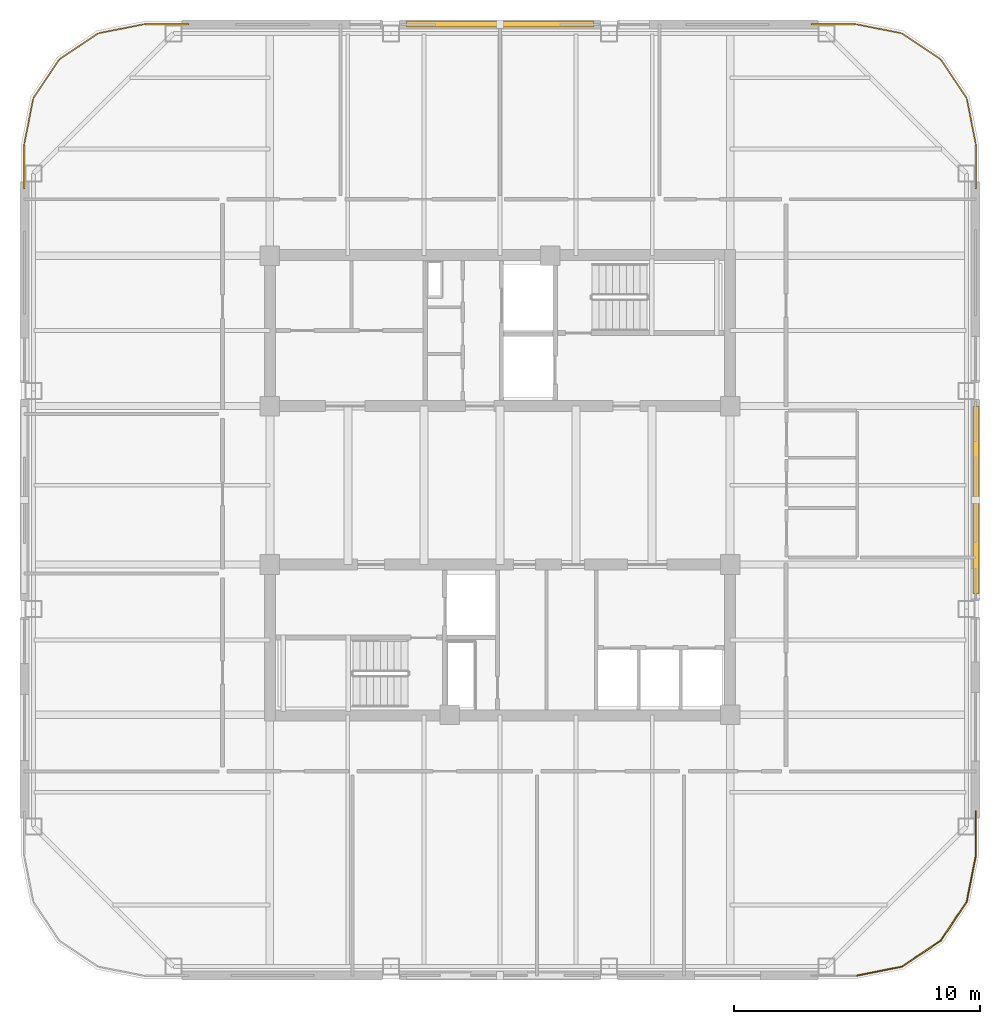
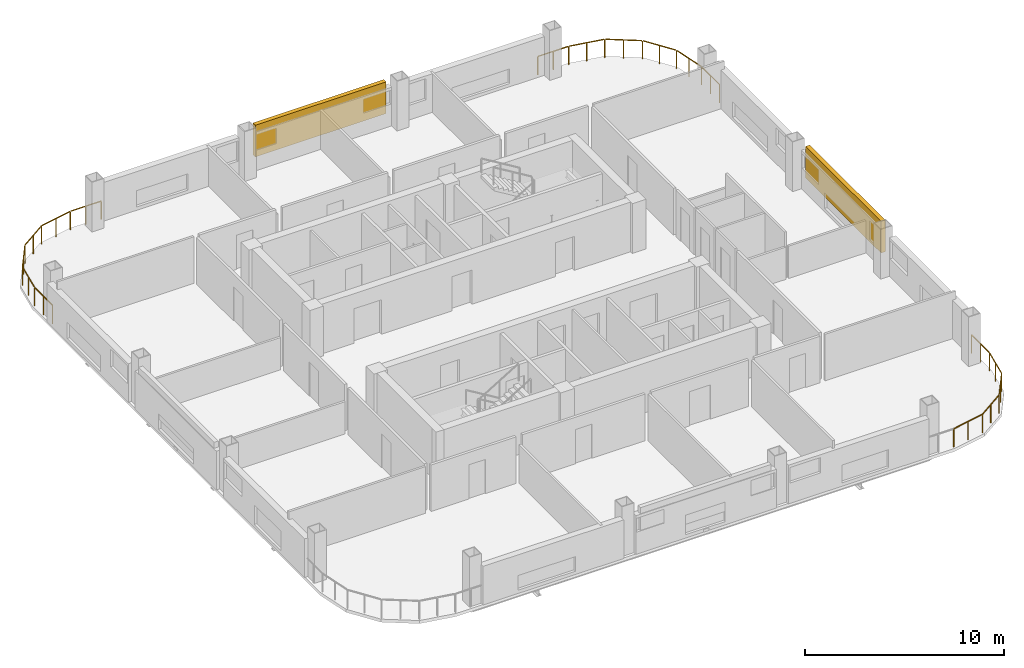
# One storey, part 8 of 8: 3 railings, 2 shading devices.
"""IFC4 building model written with IfcOpenShell, lengths in metres."""

from ifc_helpers import new_model, si_unit, direction, frame, origin, origin_2d, place, context, subcontext, project, spatial, rectangle, extrude, material, type_object, element, save


model = new_model("IFC4")

# Units and contexts
model_context = context("Model", 3, precision=1e-05, world=origin(), true_north=direction((0.0, 1.0)))
body_context = subcontext(model_context, "Body", "Model", "MODEL_VIEW")
ifc_project = project(units=[si_unit("LENGTHUNIT", "METRE"), si_unit("AREAUNIT", "SQUARE_METRE"), si_unit("VOLUMEUNIT", "CUBIC_METRE"), si_unit("PLANEANGLEUNIT", "RADIAN"), si_unit("MASSUNIT", "GRAM", prefix="KILO")], contexts=[model_context])

# Site, building, storey
site_placement = place(None, origin())
site = spatial("IfcSite", under=ifc_project, at=site_placement, CompositionType="ELEMENT")
building_placement = place(site_placement, origin())
building = spatial("IfcBuilding", under=site, at=building_placement, Name="Qhalaya Broadcast Tower", CompositionType="ELEMENT")
storey_placement = place(building_placement, frame((0.0, 0.0, 220.85009765625)))
storey = spatial("IfcBuildingStorey", under=building, at=storey_placement, Name="L65", CompositionType="ELEMENT", Elevation=220.85009765625)

# Railings
ifc_material_1 = material(Name="Powder-Coated Galvanised Steel", Category="steel")
railing_type = type_object("IfcRailingType", Name="Terrace, Sky-Pool & Lookout Glass Balustrade 1150", PredefinedType="BALUSTRADE", material=ifc_material_1)
railing_1_placement = place(storey_placement, frame((-19.3798828125, 12.681884765625, 0.0)))
element("IfcRailing", 1, at=railing_1_placement, inside=storey, type_object=railing_type, Name="L65 Rounded Corner Perimeter Guard 03", PredefinedType="BALUSTRADE", context=body_context, shape_type="SweptSolid", body=[
    extrude(rectangle(XDim=0.048095703125, YDim=0.048095703125, at=origin_2d()), frame((0.0, 0.0, 1.1259765625), z_axis=(0.0, 1.0, 0.0), x_axis=(-1.0, 0.0, 0.0)), (0.0, 0.0, 1.0), 1.777587890625),
    extrude(rectangle(XDim=0.048095703125, YDim=0.048095703125, at=origin_2d()), frame((0.005615234375, 1.834716796875, 1.1259765625), z_axis=(0.195037378397, 0.980795810058, 0.0), x_axis=(-0.980795810058, 0.195037378397, 0.0)), (0.0, 0.0, 1.0), 1.857421875),
    extrude(rectangle(XDim=0.048095703125, YDim=0.048095703125, at=origin_2d()), frame((0.3896484375, 3.708740234375, 1.1259765625), z_axis=(0.555617615188, 0.831437950597, 0.0), x_axis=(-0.831437950597, 0.555617615188, 0.0)), (0.0, 0.0, 1.0), 1.845458984375),
    extrude(rectangle(XDim=0.048095703125, YDim=0.048095703125, at=origin_2d()), frame((1.454833984375, 5.283203125, 1.1259765625), z_axis=(0.831437950597, 0.555617615188, 0.0), x_axis=(-0.555617615188, 0.831437950597, 0.0)), (0.0, 0.0, 1.0), 1.845458984375),
    extrude(rectangle(XDim=0.048095703125, YDim=0.048095703125, at=origin_2d()), frame((3.04150390625, 6.330078125, 1.1259765625), z_axis=(0.980795810058, 0.195037378397, 0.0), x_axis=(-0.195037378397, 0.980795810058, 0.0)), (0.0, 0.0, 1.0), 1.857421875),
    extrude(rectangle(XDim=0.048095703125, YDim=0.048095703125, at=origin_2d()), frame((4.92041015625, 6.697998046875, 1.1259765625), z_axis=(1.0, 0.0, 0.0), x_axis=(0.0, 1.0, 0.0)), (0.0, 0.0, 1.0), 1.777587890625),
    extrude(rectangle(XDim=0.0419921875, YDim=0.0419921875, at=origin_2d()), origin(), (0.0, 0.0, 1.0), 1.099853515625),
    extrude(rectangle(XDim=0.0419921875, YDim=0.0419921875, at=origin_2d()), frame((0.0, 0.9033203125, 0.0)), (0.0, 0.0, 1.0), 1.099853515625),
    extrude(rectangle(XDim=0.0419921875, YDim=0.0419921875, at=origin_2d()), frame((0.0, 1.806396484375, 0.0)), (0.0, 0.0, 1.0), 1.099853515625),
    extrude(rectangle(XDim=0.0419921875, YDim=0.0419921875, at=origin_2d()), frame((0.186767578125, 2.74560546875, 0.0)), (0.0, 0.0, 1.0), 1.099853515625),
    extrude(rectangle(XDim=0.0419921875, YDim=0.0419921875, at=origin_2d()), frame((0.37353515625, 3.684814453125, 0.0)), (0.0, 0.0, 1.0), 1.099853515625),
    extrude(rectangle(XDim=0.0419921875, YDim=0.0419921875, at=origin_2d()), frame((0.90234375, 4.47607421875, 0.0)), (0.0, 0.0, 1.0), 1.099853515625),
    extrude(rectangle(XDim=0.0419921875, YDim=0.0419921875, at=origin_2d()), frame((1.430908203125, 5.26708984375, 0.0)), (0.0, 0.0, 1.0), 1.099853515625),
    extrude(rectangle(XDim=0.0419921875, YDim=0.0419921875, at=origin_2d()), frame((2.22216796875, 5.7958984375, 0.0)), (0.0, 0.0, 1.0), 1.099853515625),
    extrude(rectangle(XDim=0.0419921875, YDim=0.0419921875, at=origin_2d()), frame((3.01318359375, 6.324462890625, 0.0)), (0.0, 0.0, 1.0), 1.099853515625),
    extrude(rectangle(XDim=0.0419921875, YDim=0.0419921875, at=origin_2d()), frame((3.952392578125, 6.51123046875, 0.0)), (0.0, 0.0, 1.0), 1.099853515625),
    extrude(rectangle(XDim=0.0419921875, YDim=0.0419921875, at=origin_2d()), frame((4.8916015625, 6.697998046875, 0.0)), (0.0, 0.0, 1.0), 1.099853515625),
    extrude(rectangle(XDim=0.0419921875, YDim=0.0419921875, at=origin_2d()), frame((5.794921875, 6.697998046875, 0.0)), (0.0, 0.0, 1.0), 1.099853515625),
    extrude(rectangle(XDim=0.0419921875, YDim=0.0419921875, at=origin_2d()), frame((6.697998046875, 6.697998046875, 0.0)), (0.0, 0.0, 1.0), 1.099853515625),
])
railing_2_placement = place(storey_placement, frame((12.681884765625, 19.3798828125, 0.0)))
element("IfcRailing", 2, at=railing_2_placement, inside=storey, type_object=railing_type, Name="L65 Rounded Corner Perimeter Guard 04", PredefinedType="BALUSTRADE", context=body_context, shape_type="SweptSolid", body=[
    extrude(rectangle(XDim=0.048095703125, YDim=0.048095703125, at=origin_2d()), frame((0.0, 0.0, 1.1259765625), z_axis=(1.0, 0.0, 0.0), x_axis=(0.0, 1.0, 0.0)), (0.0, 0.0, 1.0), 1.777587890625),
    extrude(rectangle(XDim=0.048095703125, YDim=0.048095703125, at=origin_2d()), frame((1.834716796875, -0.005615234375, 1.1259765625), z_axis=(0.980795810058, -0.195037378397, 0.0), x_axis=(0.195037378397, 0.980795810058, 0.0)), (0.0, 0.0, 1.0), 1.857421875),
    extrude(rectangle(XDim=0.048095703125, YDim=0.048095703125, at=origin_2d()), frame((3.708740234375, -0.3896484375, 1.1259765625), z_axis=(0.831437950597, -0.555617615188, 0.0), x_axis=(0.555617615188, 0.831437950597, 0.0)), (0.0, 0.0, 1.0), 1.845458984375),
    extrude(rectangle(XDim=0.048095703125, YDim=0.048095703125, at=origin_2d()), frame((5.283203125, -1.454833984375, 1.1259765625), z_axis=(0.555617615188, -0.831437950597, 0.0), x_axis=(0.831437950597, 0.555617615188, 0.0)), (0.0, 0.0, 1.0), 1.845458984375),
    extrude(rectangle(XDim=0.048095703125, YDim=0.048095703125, at=origin_2d()), frame((6.330078125, -3.04150390625, 1.1259765625), z_axis=(0.195037378397, -0.980795810058, 0.0), x_axis=(0.980795810058, 0.195037378397, 0.0)), (0.0, 0.0, 1.0), 1.857421875),
    extrude(rectangle(XDim=0.048095703125, YDim=0.048095703125, at=origin_2d()), frame((6.697998046875, -4.92041015625, 1.1259765625), z_axis=(0.0, -1.0, 0.0), x_axis=(1.0, 0.0, 0.0)), (0.0, 0.0, 1.0), 1.777587890625),
    extrude(rectangle(XDim=0.0419921875, YDim=0.0419921875, at=origin_2d()), origin(), (0.0, 0.0, 1.0), 1.099853515625),
    extrude(rectangle(XDim=0.0419921875, YDim=0.0419921875, at=origin_2d()), frame((0.9033203125, 0.0, 0.0)), (0.0, 0.0, 1.0), 1.099853515625),
    extrude(rectangle(XDim=0.0419921875, YDim=0.0419921875, at=origin_2d()), frame((1.806396484375, 0.0, 0.0)), (0.0, 0.0, 1.0), 1.099853515625),
    extrude(rectangle(XDim=0.0419921875, YDim=0.0419921875, at=origin_2d()), frame((2.74560546875, -0.186767578125, 0.0)), (0.0, 0.0, 1.0), 1.099853515625),
    extrude(rectangle(XDim=0.0419921875, YDim=0.0419921875, at=origin_2d()), frame((3.684814453125, -0.37353515625, 0.0)), (0.0, 0.0, 1.0), 1.099853515625),
    extrude(rectangle(XDim=0.0419921875, YDim=0.0419921875, at=origin_2d()), frame((4.47607421875, -0.90234375, 0.0)), (0.0, 0.0, 1.0), 1.099853515625),
    extrude(rectangle(XDim=0.0419921875, YDim=0.0419921875, at=origin_2d()), frame((5.26708984375, -1.430908203125, 0.0)), (0.0, 0.0, 1.0), 1.099853515625),
    extrude(rectangle(XDim=0.0419921875, YDim=0.0419921875, at=origin_2d()), frame((5.7958984375, -2.22216796875, 0.0)), (0.0, 0.0, 1.0), 1.099853515625),
    extrude(rectangle(XDim=0.0419921875, YDim=0.0419921875, at=origin_2d()), frame((6.324462890625, -3.01318359375, 0.0)), (0.0, 0.0, 1.0), 1.099853515625),
    extrude(rectangle(XDim=0.0419921875, YDim=0.0419921875, at=origin_2d()), frame((6.51123046875, -3.952392578125, 0.0)), (0.0, 0.0, 1.0), 1.099853515625),
    extrude(rectangle(XDim=0.0419921875, YDim=0.0419921875, at=origin_2d()), frame((6.697998046875, -4.8916015625, 0.0)), (0.0, 0.0, 1.0), 1.099853515625),
    extrude(rectangle(XDim=0.0419921875, YDim=0.0419921875, at=origin_2d()), frame((6.697998046875, -5.794921875, 0.0)), (0.0, 0.0, 1.0), 1.099853515625),
    extrude(rectangle(XDim=0.0419921875, YDim=0.0419921875, at=origin_2d()), frame((6.697998046875, -6.697998046875, 0.0)), (0.0, 0.0, 1.0), 1.099853515625),
])
railing_3_placement = place(storey_placement, frame((19.3798828125, -12.681884765625, 0.0)))
element("IfcRailing", 3, at=railing_3_placement, inside=storey, type_object=railing_type, Name="L65 Rounded Corner Perimeter Guard 05", PredefinedType="BALUSTRADE", context=body_context, shape_type="SweptSolid", body=[
    extrude(rectangle(XDim=0.048095703125, YDim=0.048095703125, at=origin_2d()), frame((0.0, 0.0, 1.1259765625), z_axis=(0.0, -1.0, 0.0), x_axis=(1.0, 0.0, 0.0)), (0.0, 0.0, 1.0), 1.777587890625),
    extrude(rectangle(XDim=0.048095703125, YDim=0.048095703125, at=origin_2d()), frame((-0.005615234375, -1.834716796875, 1.1259765625), z_axis=(-0.195037378397, -0.980795810058, 0.0), x_axis=(0.980795810058, -0.195037378397, 0.0)), (0.0, 0.0, 1.0), 1.857421875),
    extrude(rectangle(XDim=0.048095703125, YDim=0.048095703125, at=origin_2d()), frame((-0.3896484375, -3.708740234375, 1.1259765625), z_axis=(-0.555617615188, -0.831437950597, 0.0), x_axis=(0.831437950597, -0.555617615188, 0.0)), (0.0, 0.0, 1.0), 1.845458984375),
    extrude(rectangle(XDim=0.048095703125, YDim=0.048095703125, at=origin_2d()), frame((-1.454833984375, -5.283203125, 1.1259765625), z_axis=(-0.831437950597, -0.555617615188, 0.0), x_axis=(0.555617615188, -0.831437950597, 0.0)), (0.0, 0.0, 1.0), 1.845458984375),
    extrude(rectangle(XDim=0.048095703125, YDim=0.048095703125, at=origin_2d()), frame((-3.04150390625, -6.330078125, 1.1259765625), z_axis=(-0.980795810058, -0.195037378397, 0.0), x_axis=(0.195037378397, -0.980795810058, 0.0)), (0.0, 0.0, 1.0), 1.88623046875),
    extrude(rectangle(XDim=0.0419921875, YDim=0.0419921875, at=origin_2d()), origin(), (0.0, 0.0, 1.0), 1.099853515625),
    extrude(rectangle(XDim=0.0419921875, YDim=0.0419921875, at=origin_2d()), frame((0.0, -0.9033203125, 0.0)), (0.0, 0.0, 1.0), 1.099853515625),
    extrude(rectangle(XDim=0.0419921875, YDim=0.0419921875, at=origin_2d()), frame((0.0, -1.806396484375, 0.0)), (0.0, 0.0, 1.0), 1.099853515625),
    extrude(rectangle(XDim=0.0419921875, YDim=0.0419921875, at=origin_2d()), frame((-0.186767578125, -2.74560546875, 0.0)), (0.0, 0.0, 1.0), 1.099853515625),
    extrude(rectangle(XDim=0.0419921875, YDim=0.0419921875, at=origin_2d()), frame((-0.37353515625, -3.684814453125, 0.0)), (0.0, 0.0, 1.0), 1.099853515625),
    extrude(rectangle(XDim=0.0419921875, YDim=0.0419921875, at=origin_2d()), frame((-0.90234375, -4.47607421875, 0.0)), (0.0, 0.0, 1.0), 1.099853515625),
    extrude(rectangle(XDim=0.0419921875, YDim=0.0419921875, at=origin_2d()), frame((-1.430908203125, -5.26708984375, 0.0)), (0.0, 0.0, 1.0), 1.099853515625),
    extrude(rectangle(XDim=0.0419921875, YDim=0.0419921875, at=origin_2d()), frame((-2.22216796875, -5.7958984375, 0.0)), (0.0, 0.0, 1.0), 1.099853515625),
    extrude(rectangle(XDim=0.0419921875, YDim=0.0419921875, at=origin_2d()), frame((-3.01318359375, -6.324462890625, 0.0)), (0.0, 0.0, 1.0), 1.099853515625),
    extrude(rectangle(XDim=0.0419921875, YDim=0.0419921875, at=origin_2d()), frame((-3.952392578125, -6.51123046875, 0.0)), (0.0, 0.0, 1.0), 1.099853515625),
    extrude(rectangle(XDim=0.0419921875, YDim=0.0419921875, at=origin_2d()), frame((-4.8916015625, -6.697998046875, 0.0)), (0.0, 0.0, 1.0), 1.099853515625),
])

# Shading devices
ifc_material_2 = material(Name="Fired Architectural Terracotta", Category="masonry")
shading_device_type = type_object("IfcShadingDeviceType", Name="Terracotta Baguette Solar Screen Assembly TBS-01", PredefinedType="USERDEFINED", material=ifc_material_2)
for number, where, z_axis, x_axis, name in (
    (4, (19.3798828125, 0.0, 0.80078125), (0.0, 0.0, 1.0), (0.0, 1.0, 0.0), "L65 Fired Terracotta Baguette Screen E"),
    (5, (0.0, 19.3798828125, 0.80078125), (0.0, 0.0, 1.0), (-1.0, 0.0, 0.0), "L65 Fired Terracotta Baguette Screen N"),
):
    element("IfcShadingDevice", number, at=place(storey_placement, frame(where, z_axis=z_axis, x_axis=x_axis)), inside=storey, type_object=shading_device_type, Name=name, ObjectType="BAGUETTE", PredefinedType="USERDEFINED", context=body_context, shape_type="SweptSolid", body=[
        extrude(rectangle(XDim=7.60009765625, YDim=0.239990234375, at=origin_2d()), origin(), (0.0, 0.0, 1.0), 1.945068359375),
    ])

save(model, "model.ifc")
